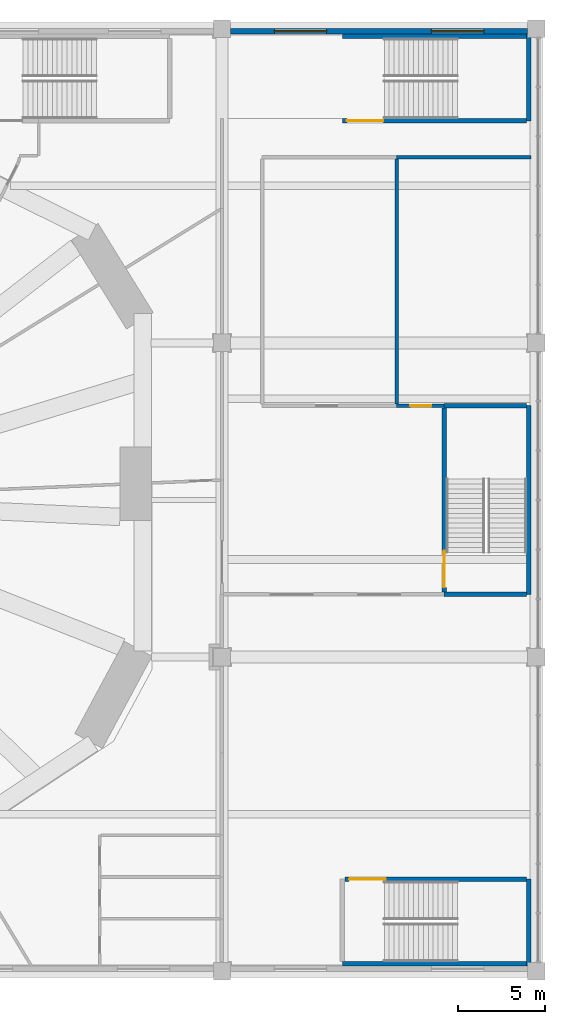
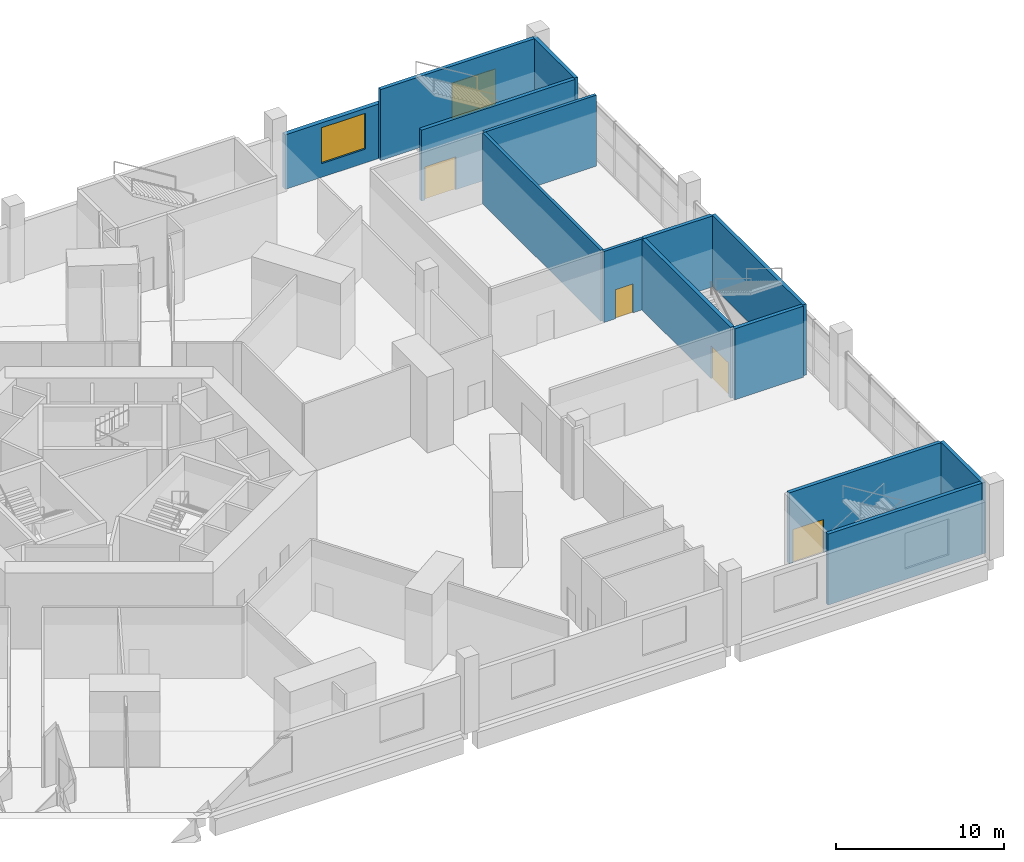
# One storey, part 10 of 16: 14 walls, 4 doors, 2 windows, 6 openings.
"""IFC4 building model written with IfcOpenShell, lengths in metres."""

from ifc_helpers import new_model, si_unit, direction, frame, frame_2d, origin, place, context, subcontext, project, spatial, rectangle, extrude, material, layer, layer_set, type_object, element, fill, save


model = new_model("IFC4")

# Units and contexts
model_context = context("Model", 3, precision=1e-05, world=origin(), true_north=direction((0.0, 1.0)))
body_context = subcontext(model_context, "Body", "Model", "MODEL_VIEW")
ifc_project = project(units=[si_unit("LENGTHUNIT", "METRE"), si_unit("AREAUNIT", "SQUARE_METRE"), si_unit("VOLUMEUNIT", "CUBIC_METRE"), si_unit("PLANEANGLEUNIT", "RADIAN"), si_unit("MASSUNIT", "GRAM", prefix="KILO")], contexts=[model_context])

# Site, building, storey
site_placement = place(None, origin())
site = spatial("IfcSite", under=ifc_project, at=site_placement, CompositionType="ELEMENT")
building_placement = place(site_placement, origin())
building = spatial("IfcBuilding", under=site, at=building_placement, Name="Vanh Sen Convention Tower", CompositionType="ELEMENT")
storey_placement = place(building_placement, frame((0.0, 0.0, 29.0)))
storey = spatial("IfcBuildingStorey", under=building, at=storey_placement, Name="L04", CompositionType="ELEMENT", Elevation=29.0)

# Wall, opening, door
ifc_material_1 = material(Name="Concrete C40/50", Category="concrete")
ifc_layer_1 = layer(ifc_material_1, 0.25)
ifc_layer_set_1 = layer_set([ifc_layer_1], Name="Concrete C40/50")
wall_type_1 = type_object("IfcWallType", Name="Concrete wall 250 REI 180", PredefinedType="SOLIDWALL", material=ifc_layer_set_1)
wall_1_placement = place(storey_placement, frame((34.0400390625, -21.72509765625, 0.0), z_axis=(0.0, 0.0, 1.0), x_axis=(1.0, 0.0, 0.0)))
wall_1 = element("IfcWall", 1, at=wall_1_placement, inside=storey, type_object=wall_type_1, Name="Fire-resisting wall L04-014", PredefinedType="SOLIDWALL", context=body_context, shape_type="SweptSolid", body=[
    extrude(rectangle(XDim=10.39990234375, YDim=0.25, at=frame_2d((5.199951171875, 0.0))), origin(), (0.0, 0.0, 1.0), 5.14990234375),
])
opening_1_placement = place(wall_1_placement, frame((0.25, 0.0, 0.0)))
opening_1 = element("IfcOpeningElement", 2, at=opening_1_placement, cuts=wall_1, Name="Opening D04104", PredefinedType="OPENING", context=body_context, shape_type="SweptSolid", body=[
    extrude(rectangle(XDim=2.10009765625, YDim=2.39990234375, at=frame_2d((1.050048828125, 1.199951171875))), frame((0.0, 0.135009765625, 0.0), z_axis=(0.0, -1.0, 0.0), x_axis=(1.0, 0.0, 0.0)), (0.0, 0.0, 1.0), 0.27001953125),
])
ifc_material_2 = material(Name="Steel S355", Category="steel")
door_type_1 = type_object("IfcDoorType", Name="Stair door 2100 EI 60", OperationType="DOUBLE_DOOR_SINGLE_SWING", PredefinedType="DOOR", material=ifc_material_2)
door_1_placement = place(opening_1_placement, frame((2.10009765625, 0.0, 0.0), z_axis=(0.0, 0.0, 1.0), x_axis=(-1.0, 0.0, 0.0)))
door_1 = element("IfcDoor", 3, at=door_1_placement, inside=storey, type_object=door_type_1, Name="Stair door D04104", OperationType="DOUBLE_DOOR_SINGLE_SWING", OverallHeight=2.39990234375, OverallWidth=2.10009765625, PredefinedType="DOOR", context=body_context, shape_type="SweptSolid", body=[
    extrude(rectangle(XDim=2.10009765625, YDim=2.39990234375, at=frame_2d((1.050048828125, 1.199951171875))), frame((0.0, 0.02490234375, 0.0), z_axis=(0.0, -1.0, 0.0), x_axis=(1.0, 0.0, 0.0)), (0.0, 0.0, 1.0), 0.050048828125),
])
fill(opening_1, door_1)

# Wall
wall_2_placement = place(storey_placement, frame((44.43994140625, -5.39990234375, 0.0), z_axis=(0.0, 0.0, 1.0), x_axis=(-1.0, 0.0, 0.0)))
element("IfcWall", 4, at=wall_2_placement, inside=storey, type_object=wall_type_1, Name="Fire-resisting wall L04-048", PredefinedType="SOLIDWALL", context=body_context, shape_type="SweptSolid", body=[
    extrude(rectangle(XDim=4.71484375, YDim=0.25, at=frame_2d((2.357421875, 0.0))), origin(), (0.0, 0.0, 1.0), 5.14990234375),
])

# Wall, opening, door
wall_3_placement = place(storey_placement, frame((39.72509765625, -5.260009765625, 0.0), z_axis=(0.0, 0.0, 1.0), x_axis=(0.0, 1.0, 0.0)))
wall_3 = element("IfcWall", 5, at=wall_3_placement, inside=storey, type_object=wall_type_1, Name="Fire-resisting wall L04-049", PredefinedType="SOLIDWALL", context=body_context, shape_type="SweptSolid", body=[
    extrude(rectangle(XDim=10.52001953125, YDim=0.25, at=frame_2d((5.260009765625, 0.0))), origin(), (0.0, 0.0, 1.0), 5.14990234375),
])
opening_2_placement = place(wall_3_placement, frame((0.25, 0.0, 0.0)))
opening_2 = element("IfcOpeningElement", 6, at=opening_2_placement, cuts=wall_3, Name="Opening D04114", PredefinedType="OPENING", context=body_context, shape_type="SweptSolid", body=[
    extrude(rectangle(XDim=2.10009765625, YDim=2.39990234375, at=frame_2d((1.050048828125, 1.199951171875))), frame((0.0, 0.135009765625, 0.0), z_axis=(0.0, -1.0, 0.0), x_axis=(1.0, 0.0, 0.0)), (0.0, 0.0, 1.0), 0.27001953125),
])
door_2_placement = place(opening_2_placement, frame((2.10009765625, 0.0, 0.0), z_axis=(0.0, 0.0, 1.0), x_axis=(-1.0, 0.0, 0.0)))
door_2 = element("IfcDoor", 7, at=door_2_placement, inside=storey, type_object=door_type_1, Name="Stair door D04114", OperationType="DOUBLE_DOOR_SINGLE_SWING", OverallHeight=2.39990234375, OverallWidth=2.10009765625, PredefinedType="DOOR", context=body_context, shape_type="SweptSolid", body=[
    extrude(rectangle(XDim=2.10009765625, YDim=2.39990234375, at=frame_2d((1.050048828125, 1.199951171875))), frame((0.0, 0.02490234375, 0.0), z_axis=(0.0, -1.0, 0.0), x_axis=(1.0, 0.0, 0.0)), (0.0, 0.0, 1.0), 0.050048828125),
])
fill(opening_2, door_2)

# Wall
wall_4_placement = place(storey_placement, frame((39.72509765625, 5.39990234375, 0.0), z_axis=(0.0, 0.0, 1.0), x_axis=(1.0, 0.0, 0.0)))
element("IfcWall", 8, at=wall_4_placement, inside=storey, type_object=wall_type_1, Name="Fire-resisting wall L04-058", PredefinedType="SOLIDWALL", context=body_context, shape_type="SweptSolid", body=[
    extrude(rectangle(XDim=4.71484375, YDim=0.25, at=frame_2d((2.357421875, 0.0))), origin(), (0.0, 0.0, 1.0), 5.14990234375),
])

# Wall, opening, door
wall_5_placement = place(storey_placement, frame((44.43994140625, 21.72509765625, 0.0), z_axis=(0.0, 0.0, 1.0), x_axis=(-1.0, 0.0, 0.0)))
wall_5 = element("IfcWall", 9, at=wall_5_placement, inside=storey, type_object=wall_type_1, Name="Fire-resisting wall L04-110", PredefinedType="SOLIDWALL", context=body_context, shape_type="SweptSolid", body=[
    extrude(rectangle(XDim=10.5400390625, YDim=0.25, at=frame_2d((5.27001953125, 0.0))), origin(), (0.0, 0.0, 1.0), 5.14990234375),
])
opening_3_placement = place(wall_5_placement, frame((8.18994140625, 0.0, 0.0)))
opening_3 = element("IfcOpeningElement", 10, at=opening_3_placement, cuts=wall_5, Name="Opening D04126", PredefinedType="OPENING", context=body_context, shape_type="SweptSolid", body=[
    extrude(rectangle(XDim=2.10009765625, YDim=2.39990234375, at=frame_2d((1.050048828125, 1.199951171875))), frame((0.0, 0.135009765625, 0.0), z_axis=(0.0, -1.0, 0.0), x_axis=(1.0, 0.0, 0.0)), (0.0, 0.0, 1.0), 0.27001953125),
])
door_3_placement = place(opening_3_placement, frame((2.10009765625, 0.0, 0.0), z_axis=(0.0, 0.0, 1.0), x_axis=(-1.0, 0.0, 0.0)))
door_3 = element("IfcDoor", 11, at=door_3_placement, inside=storey, type_object=door_type_1, Name="Stair door D04126", OperationType="DOUBLE_DOOR_SINGLE_SWING", OverallHeight=2.39990234375, OverallWidth=2.10009765625, PredefinedType="DOOR", context=body_context, shape_type="SweptSolid", body=[
    extrude(rectangle(XDim=2.10009765625, YDim=2.39990234375, at=frame_2d((1.050048828125, 1.199951171875))), frame((0.0, 0.02490234375, 0.0), z_axis=(0.0, -1.0, 0.0), x_axis=(1.0, 0.0, 0.0)), (0.0, 0.0, 1.0), 0.050048828125),
])
fill(opening_3, door_3)

# Walls
wall_6_placement = place(storey_placement, frame((44.574951171875, 21.72509765625, 0.0), z_axis=(0.0, 0.0, 1.0), x_axis=(0.0, 1.0, 0.0)))
element("IfcWall", 12, at=wall_6_placement, inside=storey, type_object=wall_type_1, Name="Stair enclosure wall PS1 L04", PredefinedType="SOLIDWALL", context=body_context, shape_type="SweptSolid", body=[
    extrude(rectangle(XDim=4.974853515625, YDim=0.25, at=frame_2d((2.4873046875, 0.0))), origin(), (0.0, 0.0, 1.0), 5.14990234375),
])
wall_7_placement = place(storey_placement, frame((44.449951171875, 26.574951171875, 0.0), z_axis=(0.0, 0.0, 1.0), x_axis=(-1.0, 0.0, 0.0)))
element("IfcWall", 13, at=wall_7_placement, inside=storey, type_object=wall_type_1, Name="Stair enclosure wall PS1 L04", PredefinedType="SOLIDWALL", context=body_context, shape_type="SweptSolid", body=[
    extrude(rectangle(XDim=10.550048828125, YDim=0.25, at=frame_2d((5.27490234375, 0.0))), origin(), (0.0, 0.0, 1.0), 5.14990234375),
])
wall_8_placement = place(storey_placement, frame((44.574951171875, -21.72509765625, 0.0), z_axis=(0.0, 0.0, 1.0), x_axis=(0.0, -1.0, 0.0)))
element("IfcWall", 14, at=wall_8_placement, inside=storey, type_object=wall_type_1, Name="Stair enclosure wall PS2 L04", PredefinedType="SOLIDWALL", context=body_context, shape_type="SweptSolid", body=[
    extrude(rectangle(XDim=4.974853515625, YDim=0.25, at=frame_2d((2.4873046875, 0.0))), origin(), (0.0, 0.0, 1.0), 5.14990234375),
])
wall_9_placement = place(storey_placement, frame((44.449951171875, -26.574951171875, 0.0), z_axis=(0.0, 0.0, 1.0), x_axis=(-1.0, 0.0, 0.0)))
element("IfcWall", 15, at=wall_9_placement, inside=storey, type_object=wall_type_1, Name="Stair enclosure wall PS2 L04", PredefinedType="SOLIDWALL", context=body_context, shape_type="SweptSolid", body=[
    extrude(rectangle(XDim=10.550048828125, YDim=0.25, at=frame_2d((5.27490234375, 0.0))), origin(), (0.0, 0.0, 1.0), 5.14990234375),
])
wall_10_placement = place(storey_placement, frame((44.574951171875, 5.39990234375, 0.0), z_axis=(0.0, 0.0, 1.0), x_axis=(0.0, -1.0, 0.0)))
element("IfcWall", 16, at=wall_10_placement, inside=storey, type_object=wall_type_1, Name="Stair enclosure wall PS3 L04", PredefinedType="SOLIDWALL", context=body_context, shape_type="SweptSolid", body=[
    extrude(rectangle(XDim=10.7998046875, YDim=0.25, at=frame_2d((5.39990234375, 0.0))), origin(), (0.0, 0.0, 1.0), 5.14990234375),
])
ifc_material_3 = material(Name="Acoustic operable panels on an overhead track", Category="gypsum")
ifc_layer_2 = layer(ifc_material_3, 0.199951171875)
ifc_layer_set_2 = layer_set([ifc_layer_2], Name="Acoustic operable panels on an overhead track")
wall_type_2 = type_object("IfcWallType", Name="Operable partition 200 EI 120", PredefinedType="MOVABLE", material=ifc_layer_set_2)
wall_11_placement = place(storey_placement, frame((37.0, 19.550048828125, 0.0), z_axis=(0.0, 0.0, 1.0), x_axis=(0.0, -1.0, 0.0)))
element("IfcWall", 17, at=wall_11_placement, inside=storey, type_object=wall_type_2, Name="Operable partition L04-093", PredefinedType="MOVABLE", context=body_context, shape_type="SweptSolid", body=[
    extrude(rectangle(XDim=14.050048828125, YDim=0.199951171875, at=frame_2d((7.02490234375, 0.0))), origin(), (0.0, 0.0, 1.0), 5.14990234375),
])

# Wall, opening, door
ifc_material_4 = material(Name="Concrete C20/25", Category="concrete")
ifc_layer_3 = layer(ifc_material_4, 0.199951171875)
ifc_layer_set_3 = layer_set([ifc_layer_3], Name="Concrete C20/25")
wall_type_3 = type_object("IfcWallType", Name="Partition 200 EI 120", PredefinedType="PARTITIONING", material=ifc_layer_set_3)
wall_12_placement = place(storey_placement, frame((37.0, 5.39990234375, 0.0), z_axis=(0.0, 0.0, 1.0), x_axis=(1.0, 0.0, 0.0)))
wall_12 = element("IfcWall", 18, at=wall_12_placement, inside=storey, type_object=wall_type_3, Name="Partition L04-057", PredefinedType="PARTITIONING", context=body_context, shape_type="SweptSolid", body=[
    extrude(rectangle(XDim=2.72509765625, YDim=0.199951171875, at=frame_2d((1.362548828125, 0.0))), origin(), (0.0, 0.0, 1.0), 5.14990234375),
])
opening_4_placement = place(wall_12_placement, frame((0.800048828125, 0.0, 0.0)))
opening_4 = element("IfcOpeningElement", 19, at=opening_4_placement, cuts=wall_12, Name="Opening D04118", PredefinedType="OPENING", context=body_context, shape_type="SweptSolid", body=[
    extrude(rectangle(XDim=1.199951171875, YDim=2.10009765625, at=frame_2d((0.60009765625, 1.050048828125))), frame((0.0, 0.10986328125, 0.0), z_axis=(0.0, -1.0, 0.0), x_axis=(1.0, 0.0, 0.0)), (0.0, 0.0, 1.0), 0.219970703125),
])
ifc_material_5 = material(Name="Timber door in steel frame", Category="steel")
door_type_2 = type_object("IfcDoorType", Name="Room door 1200 EI 60", OperationType="SINGLE_SWING_LEFT", PredefinedType="DOOR", material=ifc_material_5)
door_4_placement = place(opening_4_placement, origin())
door_4 = element("IfcDoor", 20, at=door_4_placement, inside=storey, type_object=door_type_2, Name="Room door D04118", OperationType="SINGLE_SWING_LEFT", OverallHeight=2.10009765625, OverallWidth=1.199951171875, PredefinedType="DOOR", context=body_context, shape_type="SweptSolid", body=[
    extrude(rectangle(XDim=1.199951171875, YDim=2.10009765625, at=frame_2d((0.60009765625, 1.050048828125))), frame((0.0, 0.02490234375, 0.0), z_axis=(0.0, -1.0, 0.0), x_axis=(1.0, 0.0, 0.0)), (0.0, 0.0, 1.0), 0.050048828125),
])
fill(opening_4, door_4)

# Wall
wall_13_placement = place(storey_placement, frame((44.699951171875, 19.64990234375, 0.0), z_axis=(0.0, 0.0, 1.0), x_axis=(-1.0, 0.0, 0.0)))
element("IfcWall", 21, at=wall_13_placement, inside=storey, type_object=wall_type_3, Name="Partition L04-097", PredefinedType="PARTITIONING", context=body_context, shape_type="SweptSolid", body=[
    extrude(rectangle(XDim=7.699951171875, YDim=0.199951171875, at=frame_2d((3.85009765625, 0.0))), origin(), (0.0, 0.0, 1.0), 5.14990234375),
])

# Wall, openings, windows
ifc_material_6 = material(Name="Concrete C50/60", Category="concrete")
ifc_layer_4 = layer(ifc_material_6, 0.300048828125)
ifc_layer_set_4 = layer_set([ifc_layer_4], Name="Concrete C50/60")
wall_type_4 = type_object("IfcWallType", Name="Podium wall 300", PredefinedType="STANDARD", material=ifc_layer_set_4)
wall_14_placement = place(storey_placement, frame((44.5, 26.85009765625, 0.0), z_axis=(0.0, 0.0, 1.0), x_axis=(-1.0, 0.0, 0.0)))
wall_14 = element("IfcWall", 22, at=wall_14_placement, inside=storey, type_object=wall_type_4, Name="Podium wall N1 L04", PredefinedType="STANDARD", context=body_context, shape_type="SweptSolid", body=[
    extrude(rectangle(XDim=17.0, YDim=0.300048828125, at=frame_2d((8.5, 0.0))), origin(), (0.0, 0.0, 1.0), 3.949951171875),
])
opening_5_placement = place(wall_14_placement, frame((2.5, 0.0, 1.0)))
opening_5 = element("IfcOpeningElement", 23, at=opening_5_placement, cuts=wall_14, Name="Opening WP2-N1", PredefinedType="OPENING", context=body_context, shape_type="SweptSolid", body=[
    extrude(rectangle(XDim=3.0, YDim=2.60009765625, at=frame_2d((1.5, 1.300048828125))), frame((0.0, 0.159912109375, 0.0), z_axis=(0.0, -1.0, 0.0), x_axis=(1.0, 0.0, 0.0)), (0.0, 0.0, 1.0), 0.320068359375),
])
opening_6_placement = place(wall_14_placement, frame((11.5, 0.0, 1.0)))
opening_6 = element("IfcOpeningElement", 24, at=opening_6_placement, cuts=wall_14, Name="Opening WP2-N2", PredefinedType="OPENING", context=body_context, shape_type="SweptSolid", body=[
    extrude(rectangle(XDim=3.0, YDim=2.60009765625, at=frame_2d((1.5, 1.300048828125))), frame((0.0, 0.159912109375, 0.0), z_axis=(0.0, -1.0, 0.0), x_axis=(1.0, 0.0, 0.0)), (0.0, 0.0, 1.0), 0.320068359375),
])
ifc_material_7 = material(Name="Aluminium frame with clear low-emissivity glass", Category="aluminium")
window_type = type_object("IfcWindowType", Name="Podium window 3000 x 2600", PartitioningType="SINGLE_PANEL", PredefinedType="WINDOW", material=ifc_material_7)
window_1_placement = place(opening_5_placement, origin())
window_1 = element("IfcWindow", 25, at=window_1_placement, inside=storey, type_object=window_type, Name="Window WP2-N1", OverallHeight=2.60009765625, OverallWidth=3.0, PartitioningType="SINGLE_PANEL", PredefinedType="WINDOW", context=body_context, shape_type="SweptSolid", body=[
    extrude(rectangle(XDim=3.0, YDim=2.60009765625, at=frame_2d((1.5, 1.300048828125))), frame((0.0, 0.030029296875, 0.0), z_axis=(0.0, -1.0, 0.0), x_axis=(1.0, 0.0, 0.0)), (0.0, 0.0, 1.0), 0.06005859375),
])
fill(opening_5, window_1)
window_2_placement = place(opening_6_placement, origin())
window_2 = element("IfcWindow", 26, at=window_2_placement, inside=storey, type_object=window_type, Name="Window WP2-N2", OverallHeight=2.60009765625, OverallWidth=3.0, PartitioningType="SINGLE_PANEL", PredefinedType="WINDOW", context=body_context, shape_type="SweptSolid", body=[
    extrude(rectangle(XDim=3.0, YDim=2.60009765625, at=frame_2d((1.5, 1.300048828125))), frame((0.0, 0.030029296875, 0.0), z_axis=(0.0, -1.0, 0.0), x_axis=(1.0, 0.0, 0.0)), (0.0, 0.0, 1.0), 0.06005859375),
])
fill(opening_6, window_2)

save(model, "model.ifc")
